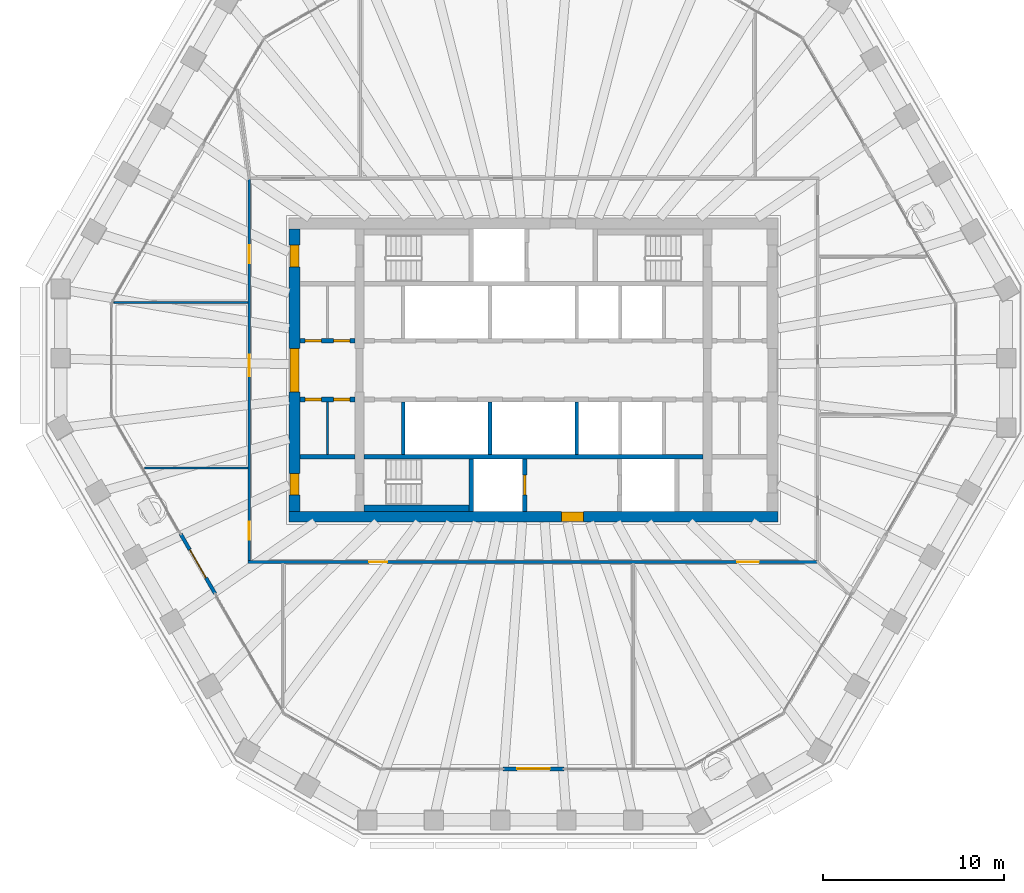
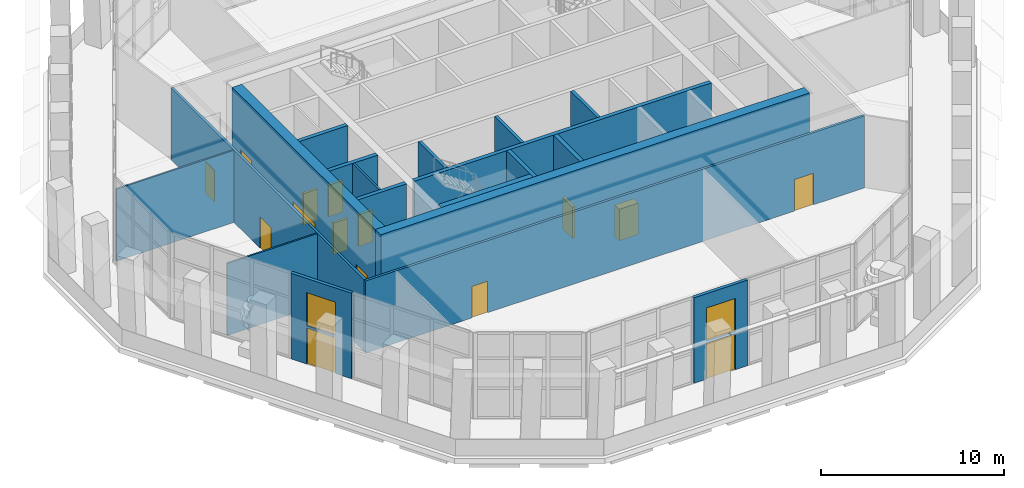
# One storey, part 12 of 19: 19 walls, 16 doors, 2 windows, 18 openings.
"""IFC4 building model written with IfcOpenShell, lengths in metres."""

from ifc_helpers import new_model, si_unit, direction, frame, frame_2d, origin, place, context, subcontext, project, spatial, rectangle, extrude, material, layer, layer_set, type_object, element, fill, save


model = new_model("IFC4")

# Units and contexts
model_context = context("Model", 3, precision=1e-05, world=origin(), true_north=direction((0.0, 1.0)))
body_context = subcontext(model_context, "Body", "Model", "MODEL_VIEW")
ifc_project = project(units=[si_unit("LENGTHUNIT", "METRE"), si_unit("AREAUNIT", "SQUARE_METRE"), si_unit("VOLUMEUNIT", "CUBIC_METRE"), si_unit("PLANEANGLEUNIT", "RADIAN"), si_unit("MASSUNIT", "GRAM", prefix="KILO")], contexts=[model_context])

# Site, building, storey
site_placement = place(None, origin())
site = spatial("IfcSite", under=ifc_project, at=site_placement, CompositionType="ELEMENT")
building_placement = place(site_placement, origin())
building = spatial("IfcBuilding", under=site, at=building_placement, Name="Frailejon Research Tower", CompositionType="ELEMENT")
storey_placement = place(building_placement, frame((0.0, 0.0, 231.39990234375)))
storey = spatial("IfcBuildingStorey", under=building, at=storey_placement, Name="L50", CompositionType="ELEMENT", Elevation=231.39990234375)

# Wall
ifc_material_1 = material(Name="Plasterboard on steel studs", Category="steel")
ifc_layer_1 = layer(ifc_material_1, 0.125)
ifc_layer_set_1 = layer_set([ifc_layer_1], Name="Core partition 125")
wall_type_1 = type_object("IfcWallType", Name="Core partition 125", PredefinedType="PARTITIONING", material=ifc_layer_set_1)
wall_1_placement = place(storey_placement, frame((-11.375, -4.64990234375, 0.0), z_axis=(0.0, 0.0, 1.0), x_axis=(0.0, 1.0, 0.0)))
element("IfcWall", 1, at=wall_1_placement, inside=storey, type_object=wall_type_1, Name="Core partition", PredefinedType="PARTITIONING", context=body_context, shape_type="SweptSolid", body=[
    extrude(rectangle(XDim=2.89990234375, YDim=0.125, at=frame_2d((1.449951171875, 0.0))), origin(), (0.0, 0.0, 1.0), 5.7001953125),
])

# Wall, opening, door
ifc_material_2 = material(Name="Concrete C60/75", Category="concrete")
ifc_layer_2 = layer(ifc_material_2, 0.60009765625)
ifc_layer_set_2 = layer_set([ifc_layer_2], Name="Core shear wall 600 C60/75")
wall_type_2 = type_object("IfcWallType", Name="Core shear wall 600 C60/75", PredefinedType="SHEAR", material=ifc_layer_set_2)
wall_2_placement = place(storey_placement, frame((-13.5, -8.10009765625, 0.0), z_axis=(0.0, 0.0, 1.0), x_axis=(1.0, 0.0, 0.0)))
wall_2 = element("IfcWall", 2, at=wall_2_placement, inside=storey, type_object=wall_type_2, Name="Core shear wall", PredefinedType="SHEAR", context=body_context, shape_type="SweptSolid", body=[
    extrude(rectangle(XDim=27.0, YDim=0.60009765625, at=frame_2d((13.5, 0.0))), origin(), (0.0, 0.0, 1.0), 5.7001953125),
])
opening_1_placement = place(wall_2_placement, frame((15.050048828125, 0.0, 0.0)))
opening_1 = element("IfcOpeningElement", 3, at=opening_1_placement, cuts=wall_2, Name="Opening D3", PredefinedType="OPENING", context=body_context, shape_type="SweptSolid", body=[
    extrude(rectangle(XDim=1.199951171875, YDim=2.10009765625, at=frame_2d((0.60009765625, 1.050048828125))), frame((0.0, 0.31005859375, 0.0), z_axis=(0.0, -1.0, 0.0), x_axis=(1.0, 0.0, 0.0)), (0.0, 0.0, 1.0), 0.6201171875),
])
ifc_material_3 = material(Name="Steel", Category="steel")
door_type_1 = type_object("IfcDoorType", Name="Firefighting lobby door", OperationType="SINGLE_SWING_LEFT", PredefinedType="DOOR", material=ifc_material_3)
door_1_placement = place(opening_1_placement, origin())
door_1 = element("IfcDoor", 4, at=door_1_placement, inside=storey, type_object=door_type_1, Name="Firefighting lobby door", OperationType="SINGLE_SWING_RIGHT", OverallHeight=2.10009765625, OverallWidth=1.199951171875, PredefinedType="DOOR", context=body_context, shape_type="SweptSolid", body=[
    extrude(rectangle(XDim=1.199951171875, YDim=2.10009765625, at=frame_2d((0.60009765625, 1.050048828125))), frame((0.0, 0.25, 0.0), z_axis=(0.0, -1.0, 0.0), x_axis=(1.0, 0.0, 0.0)), (0.0, 0.0, 1.0), 0.5),
])
fill(opening_1, door_1)

# Wall, openings, doors
wall_3_placement = place(storey_placement, frame((-13.199951171875, -7.800048828125, 0.0), z_axis=(0.0, 0.0, 1.0), x_axis=(0.0, 1.0, 0.0)))
wall_3 = element("IfcWall", 5, at=wall_3_placement, inside=storey, type_object=wall_type_2, Name="Core shear wall", PredefinedType="SHEAR", context=body_context, shape_type="SweptSolid", body=[
    extrude(rectangle(XDim=15.60009765625, YDim=0.60009765625, at=frame_2d((7.800048828125, 0.0))), origin(), (0.0, 0.0, 1.0), 5.7001953125),
])
opening_2_placement = place(wall_3_placement, frame((6.60009765625, 0.0, 0.0)))
opening_2 = element("IfcOpeningElement", 6, at=opening_2_placement, cuts=wall_3, Name="Opening D2", PredefinedType="OPENING", context=body_context, shape_type="SweptSolid", body=[
    extrude(rectangle(XDim=2.39990234375, YDim=2.10009765625, at=frame_2d((1.199951171875, 1.050048828125))), frame((0.0, 0.31005859375, 0.0), z_axis=(0.0, -1.0, 0.0), x_axis=(1.0, 0.0, 0.0)), (0.0, 0.0, 1.0), 0.6201171875),
])
opening_3_placement = place(wall_3_placement, frame((13.5, 0.0, 0.0)))
opening_3 = element("IfcOpeningElement", 7, at=opening_3_placement, cuts=wall_3, Name="Opening D7", PredefinedType="OPENING", context=body_context, shape_type="SweptSolid", body=[
    extrude(rectangle(XDim=1.199951171875, YDim=2.10009765625, at=frame_2d((0.60009765625, 1.050048828125))), frame((0.0, 0.31005859375, 0.0), z_axis=(0.0, -1.0, 0.0), x_axis=(1.0, 0.0, 0.0)), (0.0, 0.0, 1.0), 0.6201171875),
])
opening_4_placement = place(wall_3_placement, frame((0.89990234375, 0.0, 0.0)))
opening_4 = element("IfcOpeningElement", 8, at=opening_4_placement, cuts=wall_3, Name="Opening D7", PredefinedType="OPENING", context=body_context, shape_type="SweptSolid", body=[
    extrude(rectangle(XDim=1.199951171875, YDim=2.10009765625, at=frame_2d((0.60009765625, 1.050048828125))), frame((0.0, 0.31005859375, 0.0), z_axis=(0.0, -1.0, 0.0), x_axis=(1.0, 0.0, 0.0)), (0.0, 0.0, 1.0), 0.6201171875),
])
ifc_material_4 = material(Name="Steel", Category="steel")
door_type_2 = type_object("IfcDoorType", Name="Lobby double door", OperationType="DOUBLE_DOOR_SINGLE_SWING", PredefinedType="DOOR", material=ifc_material_4)
door_2_placement = place(opening_2_placement, origin())
door_2 = element("IfcDoor", 9, at=door_2_placement, inside=storey, type_object=door_type_2, Name="Lobby door", OperationType="DOUBLE_DOOR_SINGLE_SWING", OverallHeight=2.10009765625, OverallWidth=2.39990234375, PredefinedType="DOOR", context=body_context, shape_type="SweptSolid", body=[
    extrude(rectangle(XDim=2.39990234375, YDim=2.10009765625, at=frame_2d((1.199951171875, 1.050048828125))), frame((0.0, 0.25, 0.0), z_axis=(0.0, -1.0, 0.0), x_axis=(1.0, 0.0, 0.0)), (0.0, 0.0, 1.0), 0.5),
])
fill(opening_2, door_2)
ifc_material_5 = material(Name="Steel", Category="steel")
door_type_3 = type_object("IfcDoorType", Name="Stair exit door", OperationType="SINGLE_SWING_LEFT", PredefinedType="DOOR", material=ifc_material_5)
door_3_placement = place(opening_3_placement, origin())
door_3 = element("IfcDoor", 10, at=door_3_placement, inside=storey, type_object=door_type_3, Name="Stair exit door ST1", OperationType="SINGLE_SWING_LEFT", OverallHeight=2.10009765625, OverallWidth=1.199951171875, PredefinedType="DOOR", context=body_context, shape_type="SweptSolid", body=[
    extrude(rectangle(XDim=1.199951171875, YDim=2.10009765625, at=frame_2d((0.60009765625, 1.050048828125))), frame((0.0, 0.25, 0.0), z_axis=(0.0, -1.0, 0.0), x_axis=(1.0, 0.0, 0.0)), (0.0, 0.0, 1.0), 0.5),
])
fill(opening_3, door_3)
door_4_placement = place(opening_4_placement, origin())
door_4 = element("IfcDoor", 11, at=door_4_placement, inside=storey, type_object=door_type_3, Name="Stair exit door ST2", OperationType="SINGLE_SWING_LEFT", OverallHeight=2.10009765625, OverallWidth=1.199951171875, PredefinedType="DOOR", context=body_context, shape_type="SweptSolid", body=[
    extrude(rectangle(XDim=1.199951171875, YDim=2.10009765625, at=frame_2d((0.60009765625, 1.050048828125))), frame((0.0, 0.25, 0.0), z_axis=(0.0, -1.0, 0.0), x_axis=(1.0, 0.0, 0.0)), (0.0, 0.0, 1.0), 0.5),
])
fill(opening_4, door_4)

ifc_material_6 = material(Name="Gypsum board and masonry partition", Category="masonry")
ifc_layer_3 = layer(ifc_material_6, 0.14990234375)
ifc_layer_set_3 = layer_set([ifc_layer_3], Name="Corridor wall EI 60, gypsum on steel studs 150")
wall_type_3 = type_object("IfcWallType", Name="Corridor wall EI 60, gypsum on steel studs 150", PredefinedType="PARTITIONING", material=ifc_layer_set_3)
wall_4_placement = place(storey_placement, frame((-15.699951171875, -10.52490234375, 0.0), z_axis=(0.0, 0.0, 1.0), x_axis=(0.0, 1.0, 0.0)))
wall_4 = element("IfcWall", 12, at=wall_4_placement, inside=storey, type_object=wall_type_3, Name="T:IW:L50:003", PredefinedType="PARTITIONING", context=body_context, shape_type="SweptSolid", body=[
    extrude(rectangle(XDim=21.074951171875, YDim=0.14990234375, at=frame_2d((10.53759765625, 0.0))), origin(), (0.0, 0.0, 1.0), 4.800048828125),
])
opening_5_placement = place(wall_4_placement, frame((16.415771484375, 0.0, 0.0)))
opening_5 = element("IfcOpeningElement", 13, at=opening_5_placement, cuts=wall_4, Name="Opening D1124", PredefinedType="OPENING", context=body_context, shape_type="SweptSolid", body=[
    extrude(rectangle(XDim=1.0, YDim=2.10009765625, at=frame_2d((0.5, 1.050048828125))), frame((0.0, 0.0849609375, 0.0), z_axis=(0.0, -1.0, 0.0), x_axis=(1.0, 0.0, 0.0)), (0.0, 0.0, 1.0), 0.169921875),
])
opening_6_placement = place(wall_4_placement, frame((10.172607421875, 0.0, 0.0)))
opening_6 = element("IfcOpeningElement", 14, at=opening_6_placement, cuts=wall_4, Name="Opening D1125", PredefinedType="OPENING", context=body_context, shape_type="SweptSolid", body=[
    extrude(rectangle(XDim=1.199951171875, YDim=2.10009765625, at=frame_2d((0.60009765625, 1.050048828125))), frame((0.0, 0.0849609375, 0.0), z_axis=(0.0, -1.0, 0.0), x_axis=(1.0, 0.0, 0.0)), (0.0, 0.0, 1.0), 0.169921875),
])
opening_7_placement = place(wall_4_placement, frame((1.147705078125, 0.0, 0.0)))
opening_7 = element("IfcOpeningElement", 15, at=opening_7_placement, cuts=wall_4, Name="Opening D1126", PredefinedType="OPENING", context=body_context, shape_type="SweptSolid", body=[
    extrude(rectangle(XDim=1.0, YDim=2.10009765625, at=frame_2d((0.5, 1.050048828125))), frame((0.0, 0.0849609375, 0.0), z_axis=(0.0, -1.0, 0.0), x_axis=(1.0, 0.0, 0.0)), (0.0, 0.0, 1.0), 0.169921875),
])
ifc_material_7 = material(Name="Timber door leaf", Category="wood")
door_type_4 = type_object("IfcDoorType", Name="Door single leaf, timber, steel frame 1000", OperationType="NOTDEFINED", PredefinedType="DOOR", material=ifc_material_7)
door_5_placement = place(opening_5_placement, origin())
door_5 = element("IfcDoor", 16, at=door_5_placement, inside=storey, type_object=door_type_4, Name="D1124", OperationType="SINGLE_SWING_RIGHT", OverallHeight=2.10009765625, OverallWidth=1.0, PredefinedType="DOOR", context=body_context, shape_type="SweptSolid", body=[
    extrude(rectangle(XDim=1.0, YDim=2.10009765625, at=frame_2d((0.5, 1.050048828125))), frame((0.0, 0.02490234375, 0.0), z_axis=(0.0, -1.0, 0.0), x_axis=(1.0, 0.0, 0.0)), (0.0, 0.0, 1.0), 0.050048828125),
])
fill(opening_5, door_5)
door_6_placement = place(opening_7_placement, origin())
door_6 = element("IfcDoor", 17, at=door_6_placement, inside=storey, type_object=door_type_4, Name="D1126", OperationType="SINGLE_SWING_RIGHT", OverallHeight=2.10009765625, OverallWidth=1.0, PredefinedType="DOOR", context=body_context, shape_type="SweptSolid", body=[
    extrude(rectangle(XDim=1.0, YDim=2.10009765625, at=frame_2d((0.5, 1.050048828125))), frame((0.0, 0.02490234375, 0.0), z_axis=(0.0, -1.0, 0.0), x_axis=(1.0, 0.0, 0.0)), (0.0, 0.0, 1.0), 0.050048828125),
])
fill(opening_7, door_6)
ifc_material_8 = material(Name="Timber door leaf", Category="wood")
door_type_5 = type_object("IfcDoorType", Name="Door single leaf, timber, steel frame 1200", OperationType="NOTDEFINED", PredefinedType="DOOR", material=ifc_material_8)
door_7_placement = place(opening_6_placement, origin())
door_7 = element("IfcDoor", 18, at=door_7_placement, inside=storey, type_object=door_type_5, Name="D1125", OperationType="DOUBLE_DOOR_SINGLE_SWING", OverallHeight=2.10009765625, OverallWidth=1.199951171875, PredefinedType="DOOR", context=body_context, shape_type="SweptSolid", body=[
    extrude(rectangle(XDim=1.199951171875, YDim=2.10009765625, at=frame_2d((0.60009765625, 1.050048828125))), frame((0.0, 0.02490234375, 0.0), z_axis=(0.0, -1.0, 0.0), x_axis=(1.0, 0.0, 0.0)), (0.0, 0.0, 1.0), 0.050048828125),
])
fill(opening_6, door_7)

wall_5_placement = place(storey_placement, frame((-15.77490234375, -10.60009765625, 0.0), z_axis=(0.0, 0.0, 1.0), x_axis=(1.0, 0.0, 0.0)))
wall_5 = element("IfcWall", 19, at=wall_5_placement, inside=storey, type_object=wall_type_3, Name="T:IW:L50:004", PredefinedType="PARTITIONING", context=body_context, shape_type="SweptSolid", body=[
    extrude(rectangle(XDim=31.4248046875, YDim=0.14990234375, at=frame_2d((15.71240234375, 0.0))), origin(), (0.0, 0.0, 1.0), 4.800048828125),
])
opening_8_placement = place(wall_5_placement, frame((6.697265625, 0.0, 0.0)))
opening_8 = element("IfcOpeningElement", 20, at=opening_8_placement, cuts=wall_5, Name="Opening D1127", PredefinedType="OPENING", context=body_context, shape_type="SweptSolid", body=[
    extrude(rectangle(XDim=1.0, YDim=2.10009765625, at=frame_2d((0.5, 1.050048828125))), frame((0.0, 0.0849609375, 0.0), z_axis=(0.0, -1.0, 0.0), x_axis=(1.0, 0.0, 0.0)), (0.0, 0.0, 1.0), 0.169921875),
])
opening_9_placement = place(wall_5_placement, frame((27.02490234375, 0.0, 0.0)))
opening_9 = element("IfcOpeningElement", 21, at=opening_9_placement, cuts=wall_5, Name="Opening D1128", PredefinedType="OPENING", context=body_context, shape_type="SweptSolid", body=[
    extrude(rectangle(XDim=1.199951171875, YDim=2.10009765625, at=frame_2d((0.60009765625, 1.050048828125))), frame((0.0, 0.0849609375, 0.0), z_axis=(0.0, -1.0, 0.0), x_axis=(1.0, 0.0, 0.0)), (0.0, 0.0, 1.0), 0.169921875),
])
door_8_placement = place(opening_8_placement, origin())
door_8 = element("IfcDoor", 22, at=door_8_placement, inside=storey, type_object=door_type_4, Name="D1127", OperationType="SINGLE_SWING_RIGHT", OverallHeight=2.10009765625, OverallWidth=1.0, PredefinedType="DOOR", context=body_context, shape_type="SweptSolid", body=[
    extrude(rectangle(XDim=1.0, YDim=2.10009765625, at=frame_2d((0.5, 1.050048828125))), frame((0.0, 0.02490234375, 0.0), z_axis=(0.0, -1.0, 0.0), x_axis=(1.0, 0.0, 0.0)), (0.0, 0.0, 1.0), 0.050048828125),
])
fill(opening_8, door_8)
door_9_placement = place(opening_9_placement, origin())
door_9 = element("IfcDoor", 23, at=door_9_placement, inside=storey, type_object=door_type_5, Name="D1128", OperationType="DOUBLE_DOOR_SINGLE_SWING", OverallHeight=2.10009765625, OverallWidth=1.199951171875, PredefinedType="DOOR", context=body_context, shape_type="SweptSolid", body=[
    extrude(rectangle(XDim=1.199951171875, YDim=2.10009765625, at=frame_2d((0.60009765625, 1.050048828125))), frame((0.0, 0.02490234375, 0.0), z_axis=(0.0, -1.0, 0.0), x_axis=(1.0, 0.0, 0.0)), (0.0, 0.0, 1.0), 0.050048828125),
])
fill(opening_9, door_9)

# Walls
ifc_material_9 = material(Name="Gypsum board and masonry partition", Category="masonry")
ifc_layer_4 = layer(ifc_material_9, 0.10009765625)
ifc_layer_set_4 = layer_set([ifc_layer_4], Name="Partition, gypsum on steel studs 100")
wall_type_4 = type_object("IfcWallType", Name="Partition, gypsum on steel studs 100", PredefinedType="PARTITIONING", material=ifc_layer_set_4)
wall_6_placement = place(storey_placement, frame((-23.166259765625, 3.731689453125, 0.0), z_axis=(0.0, 0.0, 1.0), x_axis=(1.0, 0.0, 0.0)))
element("IfcWall", 24, at=wall_6_placement, inside=storey, type_object=wall_type_4, Name="T:IW:L50:010", PredefinedType="PARTITIONING", context=body_context, shape_type="SweptSolid", body=[
    extrude(rectangle(XDim=7.391357421875, YDim=0.10009765625, at=frame_2d((3.69580078125, 0.0))), origin(), (0.0, 0.0, 1.0), 4.800048828125),
])
wall_7_placement = place(storey_placement, frame((-21.472412109375, -5.408935546875, 0.0), z_axis=(0.0, 0.0, 1.0), x_axis=(1.0, 0.0, 0.0)))
element("IfcWall", 25, at=wall_7_placement, inside=storey, type_object=wall_type_4, Name="T:IW:L50:011", PredefinedType="PARTITIONING", context=body_context, shape_type="SweptSolid", body=[
    extrude(rectangle(XDim=5.697509765625, YDim=0.10009765625, at=frame_2d((2.8486328125, 0.0))), origin(), (0.0, 0.0, 1.0), 4.800048828125),
])
ifc_material_10 = material(Name="Concrete C60/75", Category="concrete")
ifc_layer_5 = layer(ifc_material_10, 0.199951171875)
ifc_layer_set_5 = layer_set([ifc_layer_5], Name="Shaft wall 200 C60/75")
wall_type_5 = type_object("IfcWallType", Name="Shaft wall 200 C60/75", PredefinedType="SOLIDWALL", material=ifc_layer_set_5)
for number, where, z_axis, x_axis, name in (
    (26, (-7.199951171875, -4.64990234375, 0.0), (0.0, 0.0, 1.0), (0.0, 1.0, 0.0), "Shaft wall"),
    (27, (-2.39990234375, -4.64990234375, 0.0), (0.0, 0.0, 1.0), (0.0, 1.0, 0.0), "Shaft wall"),
    (28, (2.39990234375, -4.64990234375, 0.0), (0.0, 0.0, 1.0), (0.0, 1.0, 0.0), "Shaft wall"),
):
    element("IfcWall", number, at=place(storey_placement, frame(where, z_axis=z_axis, x_axis=x_axis)), inside=storey, type_object=wall_type_5, Name=name, PredefinedType="SOLIDWALL", context=body_context, shape_type="SweptSolid", body=[
        extrude(rectangle(XDim=2.89990234375, YDim=0.199951171875, at=frame_2d((1.449951171875, 0.0))), origin(), (0.0, 0.0, 1.0), 5.7001953125),
    ])

# Wall, openings, doors
ifc_material_11 = material(Name="Concrete C60/75", Category="concrete")
ifc_layer_6 = layer(ifc_material_11, 0.25)
ifc_layer_set_6 = layer_set([ifc_layer_6], Name="Shaft wall 250 C60/75")
wall_type_6 = type_object("IfcWallType", Name="Shaft wall 250 C60/75", PredefinedType="SOLIDWALL", material=ifc_layer_set_6)
wall_8_placement = place(storey_placement, frame((-12.89990234375, 1.625, 0.0), z_axis=(0.0, 0.0, 1.0), x_axis=(1.0, 0.0, 0.0)))
wall_8 = element("IfcWall", 29, at=wall_8_placement, inside=storey, type_object=wall_type_6, Name="Shaft wall", PredefinedType="SOLIDWALL", context=body_context, shape_type="SweptSolid", body=[
    extrude(rectangle(XDim=3.0498046875, YDim=0.25, at=frame_2d((1.52490234375, 0.0))), origin(), (0.0, 0.0, 1.0), 5.7001953125),
])
opening_10_placement = place(wall_8_placement, frame((0.28125, 0.0, 0.0)))
opening_10 = element("IfcOpeningElement", 30, at=opening_10_placement, cuts=wall_8, Name="Opening D8", PredefinedType="OPENING", context=body_context, shape_type="SweptSolid", body=[
    extrude(rectangle(XDim=0.89990234375, YDim=2.10009765625, at=frame_2d((0.449951171875, 1.050048828125))), frame((0.0, 0.135009765625, 0.0), z_axis=(0.0, -1.0, 0.0), x_axis=(1.0, 0.0, 0.0)), (0.0, 0.0, 1.0), 0.27001953125),
])
opening_11_placement = place(wall_8_placement, frame((1.86865234375, 0.0, 0.0)))
opening_11 = element("IfcOpeningElement", 31, at=opening_11_placement, cuts=wall_8, Name="Opening D8", PredefinedType="OPENING", context=body_context, shape_type="SweptSolid", body=[
    extrude(rectangle(XDim=0.89990234375, YDim=2.10009765625, at=frame_2d((0.449951171875, 1.050048828125))), frame((0.0, 0.135009765625, 0.0), z_axis=(0.0, -1.0, 0.0), x_axis=(1.0, 0.0, 0.0)), (0.0, 0.0, 1.0), 0.27001953125),
])
ifc_material_12 = material(Name="Steel", Category="steel")
door_type_6 = type_object("IfcDoorType", Name="Core room door", OperationType="SINGLE_SWING_LEFT", PredefinedType="DOOR", material=ifc_material_12)
door_10_placement = place(opening_10_placement, origin())
door_10 = element("IfcDoor", 32, at=door_10_placement, inside=storey, type_object=door_type_6, Name="Room door", OperationType="SINGLE_SWING_RIGHT", OverallHeight=2.10009765625, OverallWidth=0.89990234375, PredefinedType="DOOR", context=body_context, shape_type="SweptSolid", body=[
    extrude(rectangle(XDim=0.89990234375, YDim=2.10009765625, at=frame_2d((0.449951171875, 1.050048828125))), frame((0.0, 0.074951171875, 0.0), z_axis=(0.0, -1.0, 0.0), x_axis=(1.0, 0.0, 0.0)), (0.0, 0.0, 1.0), 0.14990234375),
])
fill(opening_10, door_10)
door_11_placement = place(opening_11_placement, origin())
door_11 = element("IfcDoor", 33, at=door_11_placement, inside=storey, type_object=door_type_6, Name="Room door", OperationType="SINGLE_SWING_LEFT", OverallHeight=2.10009765625, OverallWidth=0.89990234375, PredefinedType="DOOR", context=body_context, shape_type="SweptSolid", body=[
    extrude(rectangle(XDim=0.89990234375, YDim=2.10009765625, at=frame_2d((0.449951171875, 1.050048828125))), frame((0.0, 0.074951171875, 0.0), z_axis=(0.0, -1.0, 0.0), x_axis=(1.0, 0.0, 0.0)), (0.0, 0.0, 1.0), 0.14990234375),
])
fill(opening_11, door_11)

wall_9_placement = place(storey_placement, frame((-12.89990234375, -1.625, 0.0), z_axis=(0.0, 0.0, 1.0), x_axis=(1.0, 0.0, 0.0)))
wall_9 = element("IfcWall", 34, at=wall_9_placement, inside=storey, type_object=wall_type_6, Name="Shaft wall", PredefinedType="SOLIDWALL", context=body_context, shape_type="SweptSolid", body=[
    extrude(rectangle(XDim=3.0498046875, YDim=0.25, at=frame_2d((1.52490234375, 0.0))), origin(), (0.0, 0.0, 1.0), 5.7001953125),
])
opening_12_placement = place(wall_9_placement, frame((0.28125, 0.0, 0.0)))
opening_12 = element("IfcOpeningElement", 35, at=opening_12_placement, cuts=wall_9, Name="Opening D8", PredefinedType="OPENING", context=body_context, shape_type="SweptSolid", body=[
    extrude(rectangle(XDim=0.89990234375, YDim=2.10009765625, at=frame_2d((0.449951171875, 1.050048828125))), frame((0.0, 0.135009765625, 0.0), z_axis=(0.0, -1.0, 0.0), x_axis=(1.0, 0.0, 0.0)), (0.0, 0.0, 1.0), 0.27001953125),
])
opening_13_placement = place(wall_9_placement, frame((1.86865234375, 0.0, 0.0)))
opening_13 = element("IfcOpeningElement", 36, at=opening_13_placement, cuts=wall_9, Name="Opening D8", PredefinedType="OPENING", context=body_context, shape_type="SweptSolid", body=[
    extrude(rectangle(XDim=0.89990234375, YDim=2.10009765625, at=frame_2d((0.449951171875, 1.050048828125))), frame((0.0, 0.135009765625, 0.0), z_axis=(0.0, -1.0, 0.0), x_axis=(1.0, 0.0, 0.0)), (0.0, 0.0, 1.0), 0.27001953125),
])
door_12_placement = place(opening_12_placement, origin())
door_12 = element("IfcDoor", 37, at=door_12_placement, inside=storey, type_object=door_type_6, Name="Room door", OperationType="SINGLE_SWING_RIGHT", OverallHeight=2.10009765625, OverallWidth=0.89990234375, PredefinedType="DOOR", context=body_context, shape_type="SweptSolid", body=[
    extrude(rectangle(XDim=0.89990234375, YDim=2.10009765625, at=frame_2d((0.449951171875, 1.050048828125))), frame((0.0, 0.074951171875, 0.0), z_axis=(0.0, -1.0, 0.0), x_axis=(1.0, 0.0, 0.0)), (0.0, 0.0, 1.0), 0.14990234375),
])
fill(opening_12, door_12)
door_13_placement = place(opening_13_placement, origin())
door_13 = element("IfcDoor", 38, at=door_13_placement, inside=storey, type_object=door_type_6, Name="Room door", OperationType="SINGLE_SWING_LEFT", OverallHeight=2.10009765625, OverallWidth=0.89990234375, PredefinedType="DOOR", context=body_context, shape_type="SweptSolid", body=[
    extrude(rectangle(XDim=0.89990234375, YDim=2.10009765625, at=frame_2d((0.449951171875, 1.050048828125))), frame((0.0, 0.074951171875, 0.0), z_axis=(0.0, -1.0, 0.0), x_axis=(1.0, 0.0, 0.0)), (0.0, 0.0, 1.0), 0.14990234375),
])
fill(opening_13, door_13)

# Walls
wall_10_placement = place(storey_placement, frame((-12.89990234375, -4.77490234375, 0.0), z_axis=(0.0, 0.0, 1.0), x_axis=(1.0, 0.0, 0.0)))
element("IfcWall", 39, at=wall_10_placement, inside=storey, type_object=wall_type_6, Name="Shaft wall", PredefinedType="SOLIDWALL", context=body_context, shape_type="SweptSolid", body=[
    extrude(rectangle(XDim=3.0498046875, YDim=0.25, at=frame_2d((1.52490234375, 0.0))), origin(), (0.0, 0.0, 1.0), 5.7001953125),
])
wall_11_placement = place(storey_placement, frame((-9.35009765625, -4.77490234375, 0.0), z_axis=(0.0, 0.0, 1.0), x_axis=(1.0, 0.0, 0.0)))
element("IfcWall", 40, at=wall_11_placement, inside=storey, type_object=wall_type_6, Name="Shaft wall", PredefinedType="SOLIDWALL", context=body_context, shape_type="SweptSolid", body=[
    extrude(rectangle(XDim=18.7001953125, YDim=0.25, at=frame_2d((9.35009765625, 0.0))), origin(), (0.0, 0.0, 1.0), 5.7001953125),
])
wall_12_placement = place(storey_placement, frame((-3.425048828125, -7.800048828125, 0.0), z_axis=(0.0, 0.0, 1.0), x_axis=(0.0, 1.0, 0.0)))
element("IfcWall", 41, at=wall_12_placement, inside=storey, type_object=wall_type_6, Name="Shaft wall", PredefinedType="SOLIDWALL", context=body_context, shape_type="SweptSolid", body=[
    extrude(rectangle(XDim=2.900146484375, YDim=0.25, at=frame_2d((1.4501953125, 0.0))), origin(), (0.0, 0.0, 1.0), 5.7001953125),
])

# Wall, opening, door
wall_13_placement = place(storey_placement, frame((-0.47509765625, -7.800048828125, 0.0), z_axis=(0.0, 0.0, 1.0), x_axis=(0.0, 1.0, 0.0)))
wall_13 = element("IfcWall", 42, at=wall_13_placement, inside=storey, type_object=wall_type_6, Name="Shaft wall", PredefinedType="SOLIDWALL", context=body_context, shape_type="SweptSolid", body=[
    extrude(rectangle(XDim=2.900146484375, YDim=0.25, at=frame_2d((1.4501953125, 0.0))), origin(), (0.0, 0.0, 1.0), 5.7001953125),
])
opening_14_placement = place(wall_13_placement, frame((0.89990234375, 0.0, 0.0)))
opening_14 = element("IfcOpeningElement", 43, at=opening_14_placement, cuts=wall_13, Name="Opening LD", PredefinedType="OPENING", context=body_context, shape_type="SweptSolid", body=[
    extrude(rectangle(XDim=1.10009765625, YDim=2.10009765625, at=frame_2d((0.550048828125, 1.050048828125))), frame((0.0, 0.135009765625, 0.0), z_axis=(0.0, -1.0, 0.0), x_axis=(1.0, 0.0, 0.0)), (0.0, 0.0, 1.0), 0.27001953125),
])
ifc_material_13 = material(Name="Steel", Category="steel")
door_type_7 = type_object("IfcDoorType", Name="Lift landing door", OperationType="DOUBLE_DOOR_SLIDING", PredefinedType="DOOR", material=ifc_material_13)
door_14_placement = place(opening_14_placement, origin())
door_14 = element("IfcDoor", 44, at=door_14_placement, inside=storey, type_object=door_type_7, Name="Lift landing door", OperationType="DOUBLE_DOOR_SLIDING", OverallHeight=2.10009765625, OverallWidth=1.10009765625, PredefinedType="DOOR", context=body_context, shape_type="SweptSolid", body=[
    extrude(rectangle(XDim=1.10009765625, YDim=2.10009765625, at=frame_2d((0.550048828125, 1.050048828125))), frame((0.0, 0.074951171875, 0.0), z_axis=(0.0, -1.0, 0.0), x_axis=(1.0, 0.0, 0.0)), (0.0, 0.0, 1.0), 0.14990234375),
])
fill(opening_14, door_14)

# Wall
ifc_material_14 = material(Name="Concrete C60/75", Category="concrete")
ifc_layer_7 = layer(ifc_material_14, 0.35009765625)
ifc_layer_set_7 = layer_set([ifc_layer_7], Name="Shaft wall 350 C60/75")
wall_type_7 = type_object("IfcWallType", Name="Shaft wall 350 C60/75", PredefinedType="SOLIDWALL", material=ifc_layer_set_7)
wall_14_placement = place(storey_placement, frame((-9.35009765625, -7.625, 0.0), z_axis=(0.0, 0.0, 1.0), x_axis=(1.0, 0.0, 0.0)))
element("IfcWall", 45, at=wall_14_placement, inside=storey, type_object=wall_type_7, Name="Shaft wall", PredefinedType="SOLIDWALL", context=body_context, shape_type="SweptSolid", body=[
    extrude(rectangle(XDim=5.800048828125, YDim=0.35009765625, at=frame_2d((2.89990234375, 0.0))), origin(), (0.0, 0.0, 1.0), 5.7001953125),
])

# Wall, openings, door, window
ifc_material_15 = material(Name="Concrete C40/50 precast window wall panel", Category="concrete")
ifc_layer_8 = layer(ifc_material_15, 0.199951171875)
ifc_layer_set_8 = layer_set([ifc_layer_8], Name="Window wall 200")
wall_type_8 = type_object("IfcWallType", Name="Window wall 200", PredefinedType="SOLIDWALL", material=ifc_layer_set_8)
wall_15_placement = place(storey_placement, frame((-19.48583984375, -9.049560546875, 0.0), z_axis=(0.0, 0.0, 1.0), x_axis=(0.500010778468, -0.866019180744, 0.0)))
wall_15 = element("IfcWall", 46, at=wall_15_placement, inside=storey, type_object=wall_type_8, Name="Door pier L50", PredefinedType="SOLIDWALL", context=body_context, shape_type="SweptSolid", body=[
    extrude(rectangle(XDim=3.8115234375, YDim=0.199951171875, at=frame_2d((1.90576171875, 0.0))), origin(), (0.0, 0.0, 1.0), 5.7001953125),
])
opening_15_placement = place(wall_15_placement, frame((1.005615234375, 0.0, 0.0)))
opening_15 = element("IfcOpeningElement", 47, at=opening_15_placement, cuts=wall_15, Name="Opening LG50-4", PredefinedType="OPENING", context=body_context, shape_type="SweptSolid", body=[
    extrude(rectangle(XDim=1.800048828125, YDim=2.39990234375, at=frame_2d((0.89990234375, 1.199951171875))), frame((0.0, 0.10986328125, 0.0), z_axis=(0.0, -1.0, 0.0), x_axis=(1.0, 0.0, 0.0)), (0.0, 0.0, 1.0), 0.219970703125),
])
opening_16_placement = place(wall_15_placement, frame((1.005615234375, 0.0, 2.550048828125)))
opening_16 = element("IfcOpeningElement", 48, at=opening_16_placement, cuts=wall_15, Name="Opening W21", PredefinedType="OPENING", context=body_context, shape_type="SweptSolid", body=[
    extrude(rectangle(XDim=1.800048828125, YDim=2.199951171875, at=frame_2d((0.89990234375, 1.10009765625))), frame((0.0, 0.10986328125, 0.0), z_axis=(0.0, -1.0, 0.0), x_axis=(1.0, 0.0, 0.0)), (0.0, 0.0, 1.0), 0.219970703125),
])
ifc_material_16 = material(Name="Aluminium framed glazed door leaf", Category="aluminium")
door_type_8 = type_object("IfcDoorType", Name="Loggia door 1800x2400", OperationType="DOUBLE_DOOR_SINGLE_SWING", PredefinedType="DOOR", material=ifc_material_16)
door_15_placement = place(opening_15_placement, origin())
door_15 = element("IfcDoor", 49, at=door_15_placement, inside=storey, type_object=door_type_8, Name="Door LG50-4", OperationType="DOUBLE_DOOR_SINGLE_SWING", OverallHeight=2.39990234375, OverallWidth=1.800048828125, PredefinedType="DOOR", context=body_context, shape_type="SweptSolid", body=[
    extrude(rectangle(XDim=1.800048828125, YDim=2.39990234375, at=frame_2d((0.89990234375, 1.199951171875))), frame((0.0, 0.02490234375, 0.0), z_axis=(0.0, -1.0, 0.0), x_axis=(1.0, 0.0, 0.0)), (0.0, 0.0, 1.0), 0.050048828125),
])
fill(opening_15, door_15)
ifc_material_17 = material(Name="Aluminium framed double glazing", Category="aluminium")
window_type = type_object("IfcWindowType", Name="Window 1800x2200", PartitioningType="SINGLE_PANEL", PredefinedType="WINDOW", material=ifc_material_17)
window_1_placement = place(opening_16_placement, origin())
window_1 = element("IfcWindow", 50, at=window_1_placement, inside=storey, type_object=window_type, Name="Window L50", OverallHeight=2.199951171875, OverallWidth=1.800048828125, PartitioningType="SINGLE_PANEL", PredefinedType="WINDOW", context=body_context, shape_type="SweptSolid", body=[
    extrude(rectangle(XDim=1.800048828125, YDim=2.199951171875, at=frame_2d((0.89990234375, 1.10009765625))), frame((0.0, 0.030029296875, 0.0), z_axis=(0.0, -1.0, 0.0), x_axis=(1.0, 0.0, 0.0)), (0.0, 0.0, 1.0), 0.06005859375),
])
fill(opening_16, window_1)

wall_16_placement = place(storey_placement, frame((-1.68798828125, -22.028564453125, 0.0), z_axis=(0.0, 0.0, 1.0), x_axis=(1.0, 0.0, 0.0)))
wall_16 = element("IfcWall", 51, at=wall_16_placement, inside=storey, type_object=wall_type_8, Name="Door pier L50", PredefinedType="SOLIDWALL", context=body_context, shape_type="SweptSolid", body=[
    extrude(rectangle(XDim=3.3759765625, YDim=0.199951171875, at=frame_2d((1.68798828125, 0.0))), origin(), (0.0, 0.0, 1.0), 5.7001953125),
])
opening_17_placement = place(wall_16_placement, frame((0.7880859375, 0.0, 0.0)))
opening_17 = element("IfcOpeningElement", 52, at=opening_17_placement, cuts=wall_16, Name="Opening LG50-5", PredefinedType="OPENING", context=body_context, shape_type="SweptSolid", body=[
    extrude(rectangle(XDim=1.800048828125, YDim=2.39990234375, at=frame_2d((0.89990234375, 1.199951171875))), frame((0.0, 0.10986328125, 0.0), z_axis=(0.0, -1.0, 0.0), x_axis=(1.0, 0.0, 0.0)), (0.0, 0.0, 1.0), 0.219970703125),
])
opening_18_placement = place(wall_16_placement, frame((0.7880859375, 0.0, 2.550048828125)))
opening_18 = element("IfcOpeningElement", 53, at=opening_18_placement, cuts=wall_16, Name="Opening W21", PredefinedType="OPENING", context=body_context, shape_type="SweptSolid", body=[
    extrude(rectangle(XDim=1.800048828125, YDim=2.199951171875, at=frame_2d((0.89990234375, 1.10009765625))), frame((0.0, 0.10986328125, 0.0), z_axis=(0.0, -1.0, 0.0), x_axis=(1.0, 0.0, 0.0)), (0.0, 0.0, 1.0), 0.219970703125),
])
door_16_placement = place(opening_17_placement, origin())
door_16 = element("IfcDoor", 54, at=door_16_placement, inside=storey, type_object=door_type_8, Name="Door LG50-5", OperationType="DOUBLE_DOOR_SINGLE_SWING", OverallHeight=2.39990234375, OverallWidth=1.800048828125, PredefinedType="DOOR", context=body_context, shape_type="SweptSolid", body=[
    extrude(rectangle(XDim=1.800048828125, YDim=2.39990234375, at=frame_2d((0.89990234375, 1.199951171875))), frame((0.0, 0.02490234375, 0.0), z_axis=(0.0, -1.0, 0.0), x_axis=(1.0, 0.0, 0.0)), (0.0, 0.0, 1.0), 0.050048828125),
])
fill(opening_17, door_16)
window_2_placement = place(opening_18_placement, origin())
window_2 = element("IfcWindow", 55, at=window_2_placement, inside=storey, type_object=window_type, Name="Window L50", OverallHeight=2.199951171875, OverallWidth=1.800048828125, PartitioningType="SINGLE_PANEL", PredefinedType="WINDOW", context=body_context, shape_type="SweptSolid", body=[
    extrude(rectangle(XDim=1.800048828125, YDim=2.199951171875, at=frame_2d((0.89990234375, 1.10009765625))), frame((0.0, 0.030029296875, 0.0), z_axis=(0.0, -1.0, 0.0), x_axis=(1.0, 0.0, 0.0)), (0.0, 0.0, 1.0), 0.06005859375),
])
fill(opening_18, window_2)

save(model, "model.ifc")
